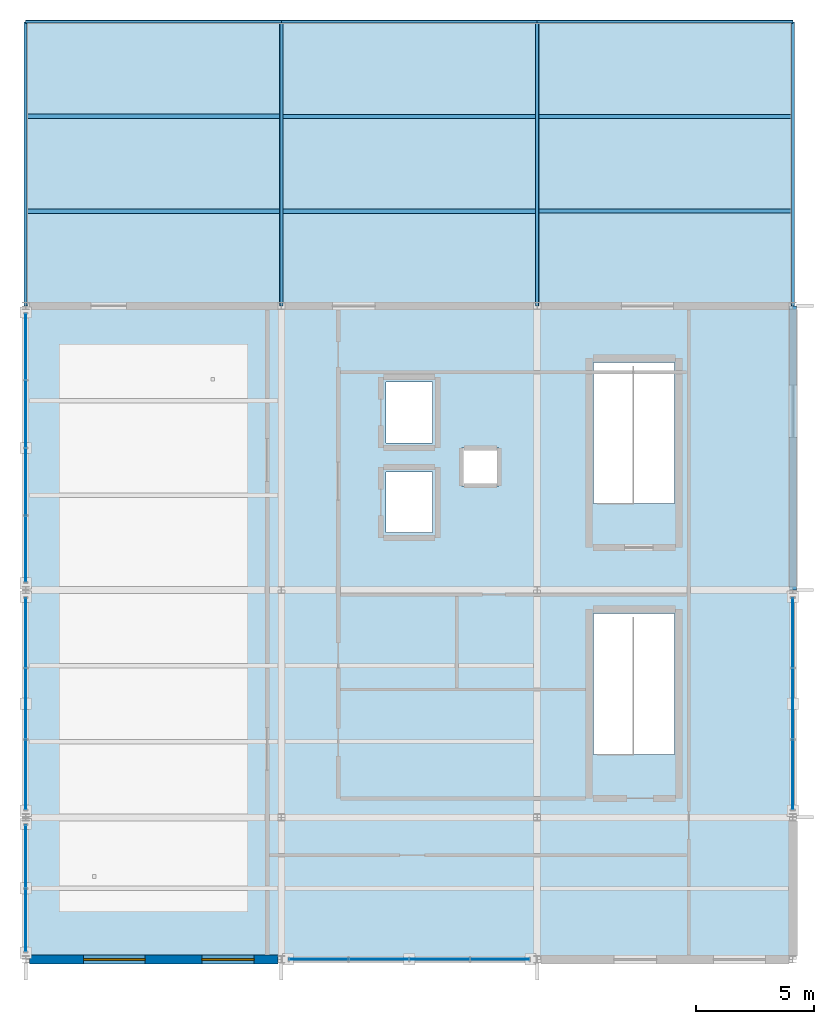
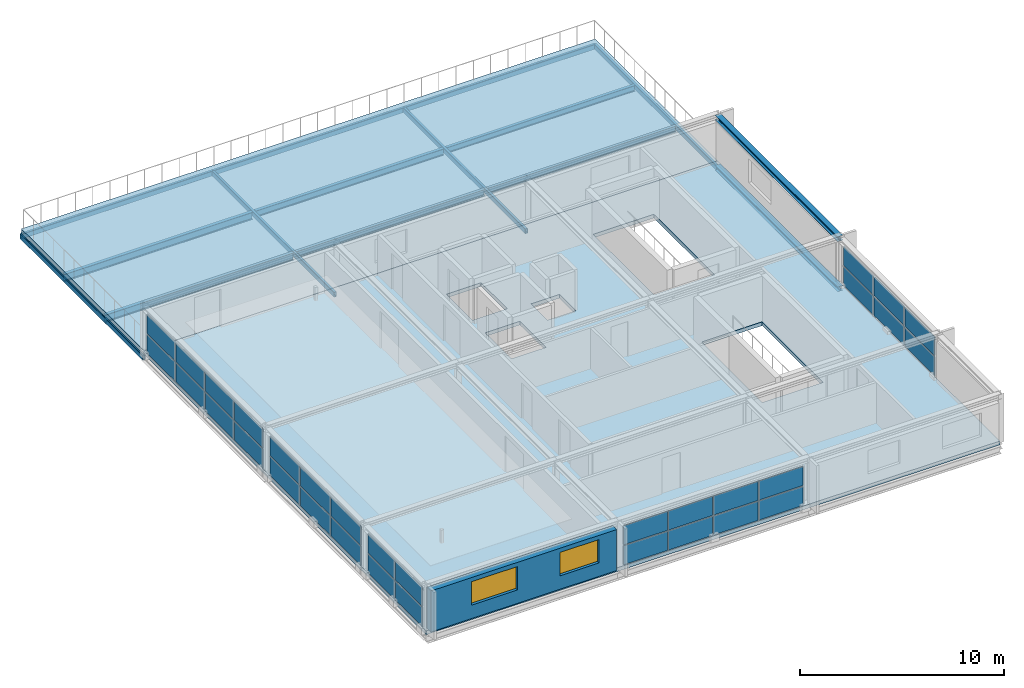
# One storey, part 11 of 14: 32 plates, 15 beams, 2 slabs, 2 windows, 1 wall, 2 openings, 5 elements without a shape of their own.
"""IFC4 building model written with IfcOpenShell, lengths in metres."""

from ifc_helpers import new_model, si_unit, direction, frame, frame_2d, origin, origin_2d, place, context, subcontext, project, spatial, polyline, rectangle, hollow_rectangle, i_section, outline, extrude, material, layer, layer_set, material_profile, profile_set, type_object, element, fill, aggregate, save


model = new_model("IFC4")

# Units and contexts
model_context = context("Model", 3, precision=1e-05, world=origin(), true_north=direction((0.0, 1.0)))
body_context = subcontext(model_context, "Body", "Model", "MODEL_VIEW")
ifc_project = project(units=[si_unit("LENGTHUNIT", "METRE"), si_unit("AREAUNIT", "SQUARE_METRE"), si_unit("VOLUMEUNIT", "CUBIC_METRE"), si_unit("PLANEANGLEUNIT", "RADIAN"), si_unit("MASSUNIT", "GRAM", prefix="KILO")], contexts=[model_context])

# Site, building, storey
site_placement = place(None, origin())
site = spatial("IfcSite", under=ifc_project, at=site_placement, CompositionType="ELEMENT")
building_placement = place(site_placement, origin())
building = spatial("IfcBuilding", under=site, at=building_placement, Name="Merenkruunu Market Hall", CompositionType="ELEMENT")
storey_placement = place(building_placement, frame((0.0, 0.0, 18.60009765625)))
storey = spatial("IfcBuildingStorey", under=building, at=storey_placement, Name="L04", CompositionType="ELEMENT", Elevation=18.60009765625)

# Beams
ifc_material_1 = material(Name="Steel S355J2", Category="steel")
ifc_material_profile_1 = material_profile(ifc_material_1, hollow_rectangle(XDim=0.14990234375, YDim=0.300048828125, WallThickness=0.012451171875, InnerFilletRadius=0.012451171875, OuterFilletRadius=0.02490234375, at=origin_2d()), Name="RHS 300x150x12.5")
ifc_profile_set_1 = profile_set([ifc_material_profile_1], Name="Steel S355J2")
beam_type_1 = type_object("IfcBeamType", Name="Perimeter Spandrel Beam SP03", PredefinedType="SPANDREL", material=ifc_profile_set_1)
beam_placement = place(storey_placement, frame((159.60009765625, 39.60009765625, -0.420166015625), z_axis=(1.0, 0.0, 0.0), x_axis=(0.0, 1.0, 0.0)))
element("IfcBeam", 1, at=beam_placement, inside=storey, type_object=beam_type_1, Name="BM-L04-SP03-0927", PredefinedType="SPANDREL", context=body_context, shape_type="SweptSolid", body=[
    extrude(hollow_rectangle(XDim=0.14990234375, YDim=0.300048828125, WallThickness=0.012451171875, InnerFilletRadius=0.012451171875, OuterFilletRadius=0.02490234375, at=origin_2d()), origin(), (0.0, 0.0, 1.0), 10.7998046875),
])
for number, where, z_axis, x_axis, name in (
    (2, (170.39990234375, 39.60009765625, -0.420166015625), (1.0, 0.0, 0.0), (0.0, 1.0, 0.0), "BM-L04-SP03-0928"),
    (3, (181.199951171875, 39.60009765625, -0.420166015625), (1.0, 0.0, 0.0), (0.0, 1.0, 0.0), "BM-L04-SP03-0929"),
):
    element("IfcBeam", number, at=place(storey_placement, frame(where, z_axis=z_axis, x_axis=x_axis)), inside=storey, type_object=beam_type_1, Name=name, PredefinedType="SPANDREL", context=body_context, shape_type="SweptSolid", body=[
        extrude(hollow_rectangle(XDim=0.14990234375, YDim=0.300048828125, WallThickness=0.012451171875, InnerFilletRadius=0.012451171875, OuterFilletRadius=0.02490234375, at=origin_2d()), origin(), (0.0, 0.0, 1.0), 10.800048828125),
    ])
for number, where, z_axis, x_axis, name in (
    (4, (159.60009765625, 27.60009765625, -0.420166015625), (0.0, 1.0, 0.0), (-1.0, 0.0, 0.0), "BM-L04-SP03-0933"),
    (5, (170.39990234375, 27.60009765625, -0.420166015625), (0.0, 1.0, 0.0), (-1.0, 0.0, 0.0), "BM-L04-SP03-0937"),
    (6, (181.199951171875, 27.60009765625, -0.420166015625), (0.0, 1.0, 0.0), (-1.0, 0.0, 0.0), "BM-L04-SP03-0941"),
    (7, (192.0, 27.60009765625, -0.420166015625), (0.0, 1.0, 0.0), (-1.0, 0.0, 0.0), "BM-L04-SP03-0945"),
):
    element("IfcBeam", number, at=place(storey_placement, frame(where, z_axis=z_axis, x_axis=x_axis)), inside=storey, type_object=beam_type_1, Name=name, PredefinedType="SPANDREL", context=body_context, shape_type="SweptSolid", body=[
        extrude(hollow_rectangle(XDim=0.14990234375, YDim=0.300048828125, WallThickness=0.012451171875, InnerFilletRadius=0.012451171875, OuterFilletRadius=0.02490234375, at=origin_2d()), origin(), (0.0, 0.0, 1.0), 12.0),
    ])
ifc_material_profile_2 = material_profile(ifc_material_1, i_section(OverallWidth=0.300048828125, OverallDepth=0.2900390625, WebThickness=0.008544921875, FlangeThickness=0.013916015625, FilletRadius=0.027099609375, at=origin_2d()), Name="HEA 300")
ifc_profile_set_2 = profile_set([ifc_material_profile_2], Name="Steel S355J2")
beam_type_2 = type_object("IfcBeamType", Name="Primary Floor Girder B09", PredefinedType="BEAM", material=ifc_profile_set_2)
for number, where, z_axis, x_axis, name in (
    (8, (192.0, 15.60009765625, -0.364990234375), (0.0, 1.0, 0.0), (-1.0, 0.0, 0.0), "BM-L04-B09-0944"),
    (9, (192.0, 15.60009765625, 2.635009765625), (0.0, 1.0, 0.0), (-1.0, 0.0, 0.0), "BM-L04-B09-1332"),
):
    element("IfcBeam", number, at=place(storey_placement, frame(where, z_axis=z_axis, x_axis=x_axis)), inside=storey, type_object=beam_type_2, Name=name, PredefinedType="BEAM", context=body_context, shape_type="SweptSolid", body=[
        extrude(i_section(OverallWidth=0.300048828125, OverallDepth=0.2900390625, WebThickness=0.008544921875, FlangeThickness=0.013916015625, FilletRadius=0.027099609375, at=origin_2d()), origin(), (0.0, 0.0, 1.0), 12.0),
    ])
ifc_material_profile_3 = material_profile(ifc_material_1, i_section(OverallWidth=0.18994140625, OverallDepth=0.449951171875, WebThickness=0.009521484375, FlangeThickness=0.0146484375, FilletRadius=0.02099609375, at=origin_2d()), Name="IPE 450")
ifc_profile_set_3 = profile_set([ifc_material_profile_3], Name="Steel S355J2")
beam_type_3 = type_object("IfcBeamType", Name="Secondary Floor Joist J01", PredefinedType="JOIST", material=ifc_profile_set_3)
for number, where, z_axis, x_axis, name in (
    (10, (159.677978515625, 31.60009765625, -0.4951171875), (1.0, 0.0, 0.0), (0.0, 1.0, 0.0), "BM-L04-J01-0951"),
    (11, (159.677978515625, 35.60009765625, -0.4951171875), (1.0, 0.0, 0.0), (0.0, 1.0, 0.0), "BM-L04-J01-0952"),
):
    element("IfcBeam", number, at=place(storey_placement, frame(where, z_axis=z_axis, x_axis=x_axis)), inside=storey, type_object=beam_type_3, Name=name, PredefinedType="JOIST", context=body_context, shape_type="SweptSolid", body=[
        extrude(i_section(OverallWidth=0.18994140625, OverallDepth=0.449951171875, WebThickness=0.009521484375, FlangeThickness=0.0146484375, FilletRadius=0.02099609375, at=origin_2d()), origin(), (0.0, 0.0, 1.0), 10.64404296875),
    ])
ifc_material_profile_4 = material_profile(ifc_material_1, i_section(OverallWidth=0.179931640625, OverallDepth=0.39990234375, WebThickness=0.008544921875, FlangeThickness=0.013427734375, FilletRadius=0.02099609375, at=origin_2d()), Name="IPE 400")
ifc_profile_set_4 = profile_set([ifc_material_profile_4], Name="Steel S355J2")
beam_type_4 = type_object("IfcBeamType", Name="Secondary Floor Joist J02", PredefinedType="JOIST", material=ifc_profile_set_4)
for number, where, z_axis, x_axis, name in (
    (12, (170.47802734375, 31.60009765625, -0.47021484375), (1.0, 0.0, 0.0), (0.0, 1.0, 0.0), "BM-L04-J02-0956"),
    (13, (170.47802734375, 35.60009765625, -0.47021484375), (1.0, 0.0, 0.0), (0.0, 1.0, 0.0), "BM-L04-J02-0957"),
):
    element("IfcBeam", number, at=place(storey_placement, frame(where, z_axis=z_axis, x_axis=x_axis)), inside=storey, type_object=beam_type_4, Name=name, PredefinedType="JOIST", context=body_context, shape_type="SweptSolid", body=[
        extrude(i_section(OverallWidth=0.179931640625, OverallDepth=0.39990234375, WebThickness=0.008544921875, FlangeThickness=0.013427734375, FilletRadius=0.02099609375, at=origin_2d()), origin(), (0.0, 0.0, 1.0), 10.64404296875),
    ])
ifc_material_profile_5 = material_profile(ifc_material_1, i_section(OverallWidth=0.169921875, OverallDepth=0.360107421875, WebThickness=0.008056640625, FlangeThickness=0.0126953125, FilletRadius=0.01806640625, at=origin_2d()), Name="IPE 360")
ifc_profile_set_5 = profile_set([ifc_material_profile_5], Name="Steel S355J2")
beam_type_5 = type_object("IfcBeamType", Name="Secondary Floor Joist J03", PredefinedType="JOIST", material=ifc_profile_set_5)
for number, where, z_axis, x_axis, name in (
    (14, (181.278076171875, 31.60009765625, -0.4501953125), (1.0, 0.0, 0.0), (0.0, 1.0, 0.0), "BM-L04-J03-0959"),
    (15, (181.278076171875, 35.60009765625, -0.4501953125), (1.0, 0.0, 0.0), (0.0, 1.0, 0.0), "BM-L04-J03-0960"),
):
    element("IfcBeam", number, at=place(storey_placement, frame(where, z_axis=z_axis, x_axis=x_axis)), inside=storey, type_object=beam_type_5, Name=name, PredefinedType="JOIST", context=body_context, shape_type="SweptSolid", body=[
        extrude(i_section(OverallWidth=0.169921875, OverallDepth=0.360107421875, WebThickness=0.008056640625, FlangeThickness=0.0126953125, FilletRadius=0.01806640625, at=origin_2d()), origin(), (0.0, 0.0, 1.0), 10.64404296875),
    ])

# Curtain wall, plates
ifc_material_2 = material(Name="Powder-coated aluminium", Category="aluminium")
curtain_wall_type_1 = type_object("IfcCurtainWallType", Name="Glazed Curtain Wall CW08", PredefinedType="USERDEFINED", material=ifc_material_2)
curtain_wall_1_placement = place(storey_placement, origin())
curtain_wall_1 = element("IfcCurtainWall", 16, at=curtain_wall_1_placement, inside=storey, type_object=curtain_wall_type_1, Name="CW-L04-CWM03-223", ObjectType="GLAZED_FACADE", PredefinedType="USERDEFINED")
ifc_material_3 = material(Name="Triple low-E insulated glass", Category="glass")
ifc_layer_1 = layer(ifc_material_3, 0.035888671875)
ifc_layer_set_1 = layer_set([ifc_layer_1], Name="Triple low-E insulated glass")
plate_type_1 = type_object("IfcPlateType", Name="Curtain Wall Glazing Panel CWP05", PredefinedType="CURTAIN_PANEL", material=ifc_layer_set_1)
plate_1_placement = place(storey_placement, frame((179.625, 0.0, 0.06005859375), z_axis=(0.0, 0.0, 1.0), x_axis=(-1.0, 0.0, 0.0)))
plate_1 = element("IfcPlate", 17, at=plate_1_placement, type_object=plate_type_1, Name="CW08 panel 1.1", PredefinedType="CURTAIN_PANEL", context=body_context, shape_type="SweptSolid", body=[
    extrude(rectangle(XDim=2.469970703125, YDim=0.035888671875, at=origin_2d()), origin(), (0.0, 0.0, 1.0), 1.135009765625),
])
plate_2_placement = place(storey_placement, frame((179.625, 0.0, 1.2548828125), z_axis=(0.0, 0.0, 1.0), x_axis=(-1.0, 0.0, 0.0)))
plate_2 = element("IfcPlate", 18, at=plate_2_placement, type_object=plate_type_1, Name="CW08 panel 1.2", PredefinedType="CURTAIN_PANEL", context=body_context, shape_type="SweptSolid", body=[
    extrude(rectangle(XDim=2.469970703125, YDim=0.035888671875, at=origin_2d()), origin(), (0.0, 0.0, 1.0), 1.135009765625),
])
plate_3_placement = place(storey_placement, frame((177.080078125, 0.0, 0.06005859375), z_axis=(0.0, 0.0, 1.0), x_axis=(-1.0, 0.0, 0.0)))
plate_3 = element("IfcPlate", 19, at=plate_3_placement, type_object=plate_type_1, Name="CW08 panel 2.1", PredefinedType="CURTAIN_PANEL", context=body_context, shape_type="SweptSolid", body=[
    extrude(rectangle(XDim=2.5, YDim=0.035888671875, at=origin_2d()), origin(), (0.0, 0.0, 1.0), 1.135009765625),
])
plate_4_placement = place(storey_placement, frame((177.080078125, 0.0, 1.2548828125), z_axis=(0.0, 0.0, 1.0), x_axis=(-1.0, 0.0, 0.0)))
plate_4 = element("IfcPlate", 20, at=plate_4_placement, type_object=plate_type_1, Name="CW08 panel 2.2", PredefinedType="CURTAIN_PANEL", context=body_context, shape_type="SweptSolid", body=[
    extrude(rectangle(XDim=2.5, YDim=0.035888671875, at=origin_2d()), origin(), (0.0, 0.0, 1.0), 1.135009765625),
])
plate_5_placement = place(storey_placement, frame((174.52001953125, 0.0, 0.06005859375), z_axis=(0.0, 0.0, 1.0), x_axis=(-1.0, 0.0, 0.0)))
plate_5 = element("IfcPlate", 21, at=plate_5_placement, type_object=plate_type_1, Name="CW08 panel 3.1", PredefinedType="CURTAIN_PANEL", context=body_context, shape_type="SweptSolid", body=[
    extrude(rectangle(XDim=2.5, YDim=0.035888671875, at=origin_2d()), origin(), (0.0, 0.0, 1.0), 1.135009765625),
])
plate_6_placement = place(storey_placement, frame((174.52001953125, 0.0, 1.2548828125), z_axis=(0.0, 0.0, 1.0), x_axis=(-1.0, 0.0, 0.0)))
plate_6 = element("IfcPlate", 22, at=plate_6_placement, type_object=plate_type_1, Name="CW08 panel 3.2", PredefinedType="CURTAIN_PANEL", context=body_context, shape_type="SweptSolid", body=[
    extrude(rectangle(XDim=2.5, YDim=0.035888671875, at=origin_2d()), origin(), (0.0, 0.0, 1.0), 1.135009765625),
])
plate_7_placement = place(storey_placement, frame((171.97509765625, 0.0, 0.06005859375), z_axis=(0.0, 0.0, 1.0), x_axis=(-1.0, 0.0, 0.0)))
plate_7 = element("IfcPlate", 23, at=plate_7_placement, type_object=plate_type_1, Name="CW08 panel 4.1", PredefinedType="CURTAIN_PANEL", context=body_context, shape_type="SweptSolid", body=[
    extrude(rectangle(XDim=2.469970703125, YDim=0.035888671875, at=origin_2d()), origin(), (0.0, 0.0, 1.0), 1.135009765625),
])
plate_8_placement = place(storey_placement, frame((171.97509765625, 0.0, 1.2548828125), z_axis=(0.0, 0.0, 1.0), x_axis=(-1.0, 0.0, 0.0)))
plate_8 = element("IfcPlate", 24, at=plate_8_placement, type_object=plate_type_1, Name="CW08 panel 4.2", PredefinedType="CURTAIN_PANEL", context=body_context, shape_type="SweptSolid", body=[
    extrude(rectangle(XDim=2.469970703125, YDim=0.035888671875, at=origin_2d()), origin(), (0.0, 0.0, 1.0), 1.135009765625),
])
aggregate(curtain_wall_1, [plate_1, plate_2, plate_3, plate_4, plate_5, plate_6, plate_7, plate_8])

curtain_wall_type_2 = type_object("IfcCurtainWallType", Name="Glazed Curtain Wall CW07", PredefinedType="USERDEFINED", material=ifc_material_2)
curtain_wall_2_placement = place(storey_placement, origin())
curtain_wall_2 = element("IfcCurtainWall", 25, at=curtain_wall_2_placement, inside=storey, type_object=curtain_wall_type_2, Name="CW-L04-CWM03-224", ObjectType="GLAZED_FACADE", PredefinedType="USERDEFINED")
ifc_material_4 = material(Name="Powder-coated aluminium spandrel panel", Category="aluminium")
ifc_layer_2 = layer(ifc_material_4, 0.0419921875)
ifc_layer_set_2 = layer_set([ifc_layer_2], Name="Powder-coated aluminium spandrel panel")
plate_type_2 = type_object("IfcPlateType", Name="Curtain Wall Glazing Panel CWP06", PredefinedType="CURTAIN_PANEL", material=ifc_layer_set_2)
plate_9_placement = place(storey_placement, frame((192.0, 13.79833984375, 0.06005859375), z_axis=(0.0, 0.0, 1.0), x_axis=(0.0, -1.0, 0.0)))
plate_9 = element("IfcPlate", 26, at=plate_9_placement, type_object=plate_type_2, Name="CW07 panel 1.1", PredefinedType="CURTAIN_PANEL", context=body_context, shape_type="SweptSolid", body=[
    extrude(rectangle(XDim=2.92333984375, YDim=0.0419921875, at=origin_2d()), origin(), (0.0, 0.0, 1.0), 1.135009765625),
])
plate_10_placement = place(storey_placement, frame((192.0, 13.79833984375, 1.2548828125), z_axis=(0.0, 0.0, 1.0), x_axis=(0.0, -1.0, 0.0)))
plate_10 = element("IfcPlate", 27, at=plate_10_placement, type_object=plate_type_2, Name="CW07 panel 1.2", PredefinedType="CURTAIN_PANEL", context=body_context, shape_type="SweptSolid", body=[
    extrude(rectangle(XDim=2.92333984375, YDim=0.0419921875, at=origin_2d()), origin(), (0.0, 0.0, 1.0), 1.135009765625),
])
plate_11_placement = place(storey_placement, frame((192.0, 10.800048828125, 0.06005859375), z_axis=(0.0, 0.0, 1.0), x_axis=(0.0, -1.0, 0.0)))
plate_11 = element("IfcPlate", 28, at=plate_11_placement, type_object=plate_type_2, Name="CW07 panel 2.1", PredefinedType="CURTAIN_PANEL", context=body_context, shape_type="SweptSolid", body=[
    extrude(rectangle(XDim=2.953369140625, YDim=0.0419921875, at=origin_2d()), origin(), (0.0, 0.0, 1.0), 1.135009765625),
])
plate_12_placement = place(storey_placement, frame((192.0, 10.800048828125, 1.2548828125), z_axis=(0.0, 0.0, 1.0), x_axis=(0.0, -1.0, 0.0)))
plate_12 = element("IfcPlate", 29, at=plate_12_placement, type_object=plate_type_2, Name="CW07 panel 2.2", PredefinedType="CURTAIN_PANEL", context=body_context, shape_type="SweptSolid", body=[
    extrude(rectangle(XDim=2.953369140625, YDim=0.0419921875, at=origin_2d()), origin(), (0.0, 0.0, 1.0), 1.135009765625),
])
plate_13_placement = place(storey_placement, frame((192.0, 7.8017578125, 0.06005859375), z_axis=(0.0, 0.0, 1.0), x_axis=(0.0, -1.0, 0.0)))
plate_13 = element("IfcPlate", 30, at=plate_13_placement, type_object=plate_type_2, Name="CW07 panel 3.1", PredefinedType="CURTAIN_PANEL", context=body_context, shape_type="SweptSolid", body=[
    extrude(rectangle(XDim=2.92333984375, YDim=0.0419921875, at=origin_2d()), origin(), (0.0, 0.0, 1.0), 1.135009765625),
])
plate_14_placement = place(storey_placement, frame((192.0, 7.8017578125, 1.2548828125), z_axis=(0.0, 0.0, 1.0), x_axis=(0.0, -1.0, 0.0)))
plate_14 = element("IfcPlate", 31, at=plate_14_placement, type_object=plate_type_2, Name="CW07 panel 3.2", PredefinedType="CURTAIN_PANEL", context=body_context, shape_type="SweptSolid", body=[
    extrude(rectangle(XDim=2.92333984375, YDim=0.0419921875, at=origin_2d()), origin(), (0.0, 0.0, 1.0), 1.135009765625),
])
aggregate(curtain_wall_2, [plate_9, plate_10, plate_11, plate_12, plate_13, plate_14])

curtain_wall_3_placement = place(storey_placement, origin())
curtain_wall_3 = element("IfcCurtainWall", 32, at=curtain_wall_3_placement, inside=storey, type_object=curtain_wall_type_1, Name="CW-L04-CWM02-225", ObjectType="GLAZED_FACADE", PredefinedType="USERDEFINED")
ifc_layer_3 = layer(ifc_material_3, 0.0380859375)
ifc_layer_set_3 = layer_set([ifc_layer_3], Name="Triple low-E insulated glass")
plate_type_3 = type_object("IfcPlateType", Name="Curtain Wall Glazing Panel CWP10", PredefinedType="CURTAIN_PANEL", material=ifc_layer_set_3)
plate_15_placement = place(storey_placement, frame((159.60009765625, 1.655029296875, 0.06005859375), z_axis=(0.0, 0.0, 1.0), x_axis=(0.0, 1.0, 0.0)))
plate_15 = element("IfcPlate", 33, at=plate_15_placement, type_object=plate_type_3, Name="CW08 panel 1.1", PredefinedType="CURTAIN_PANEL", context=body_context, shape_type="SweptSolid", body=[
    extrude(rectangle(XDim=2.6298828125, YDim=0.0380859375, at=origin_2d()), origin(), (0.0, 0.0, 1.0), 1.135009765625),
])
plate_16_placement = place(storey_placement, frame((159.60009765625, 1.655029296875, 1.2548828125), z_axis=(0.0, 0.0, 1.0), x_axis=(0.0, 1.0, 0.0)))
plate_16 = element("IfcPlate", 34, at=plate_16_placement, type_object=plate_type_3, Name="CW08 panel 1.2", PredefinedType="CURTAIN_PANEL", context=body_context, shape_type="SweptSolid", body=[
    extrude(rectangle(XDim=2.6298828125, YDim=0.0380859375, at=origin_2d()), origin(), (0.0, 0.0, 1.0), 1.135009765625),
])
plate_17_placement = place(storey_placement, frame((159.60009765625, 4.344970703125, 0.06005859375), z_axis=(0.0, 0.0, 1.0), x_axis=(0.0, 1.0, 0.0)))
plate_17 = element("IfcPlate", 35, at=plate_17_placement, type_object=plate_type_3, Name="CW08 panel 2.1", PredefinedType="CURTAIN_PANEL", context=body_context, shape_type="SweptSolid", body=[
    extrude(rectangle(XDim=2.6298828125, YDim=0.0380859375, at=origin_2d()), origin(), (0.0, 0.0, 1.0), 1.135009765625),
])
plate_18_placement = place(storey_placement, frame((159.60009765625, 4.344970703125, 1.2548828125), z_axis=(0.0, 0.0, 1.0), x_axis=(0.0, 1.0, 0.0)))
plate_18 = element("IfcPlate", 36, at=plate_18_placement, type_object=plate_type_3, Name="CW08 panel 2.2", PredefinedType="CURTAIN_PANEL", context=body_context, shape_type="SweptSolid", body=[
    extrude(rectangle(XDim=2.6298828125, YDim=0.0380859375, at=origin_2d()), origin(), (0.0, 0.0, 1.0), 1.135009765625),
])
aggregate(curtain_wall_3, [plate_15, plate_16, plate_17, plate_18])

curtain_wall_4_placement = place(storey_placement, origin())
curtain_wall_4 = element("IfcCurtainWall", 37, at=curtain_wall_4_placement, inside=storey, type_object=curtain_wall_type_1, Name="CW-L04-CWM02-226", ObjectType="GLAZED_FACADE", PredefinedType="USERDEFINED")
plate_19_placement = place(storey_placement, frame((159.60009765625, 7.8017578125, 0.06005859375), z_axis=(0.0, 0.0, 1.0), x_axis=(0.0, 1.0, 0.0)))
plate_19 = element("IfcPlate", 38, at=plate_19_placement, type_object=plate_type_3, Name="CW08 panel 1.1", PredefinedType="CURTAIN_PANEL", context=body_context, shape_type="SweptSolid", body=[
    extrude(rectangle(XDim=2.92333984375, YDim=0.0380859375, at=origin_2d()), origin(), (0.0, 0.0, 1.0), 1.135009765625),
])
plate_20_placement = place(storey_placement, frame((159.60009765625, 7.8017578125, 1.2548828125), z_axis=(0.0, 0.0, 1.0), x_axis=(0.0, 1.0, 0.0)))
plate_20 = element("IfcPlate", 39, at=plate_20_placement, type_object=plate_type_3, Name="CW08 panel 1.2", PredefinedType="CURTAIN_PANEL", context=body_context, shape_type="SweptSolid", body=[
    extrude(rectangle(XDim=2.92333984375, YDim=0.0380859375, at=origin_2d()), origin(), (0.0, 0.0, 1.0), 1.135009765625),
])
plate_21_placement = place(storey_placement, frame((159.60009765625, 10.800048828125, 0.06005859375), z_axis=(0.0, 0.0, 1.0), x_axis=(0.0, 1.0, 0.0)))
plate_21 = element("IfcPlate", 40, at=plate_21_placement, type_object=plate_type_3, Name="CW08 panel 2.1", PredefinedType="CURTAIN_PANEL", context=body_context, shape_type="SweptSolid", body=[
    extrude(rectangle(XDim=2.953369140625, YDim=0.0380859375, at=origin_2d()), origin(), (0.0, 0.0, 1.0), 1.135009765625),
])
plate_22_placement = place(storey_placement, frame((159.60009765625, 10.800048828125, 1.2548828125), z_axis=(0.0, 0.0, 1.0), x_axis=(0.0, 1.0, 0.0)))
plate_22 = element("IfcPlate", 41, at=plate_22_placement, type_object=plate_type_3, Name="CW08 panel 2.2", PredefinedType="CURTAIN_PANEL", context=body_context, shape_type="SweptSolid", body=[
    extrude(rectangle(XDim=2.953369140625, YDim=0.0380859375, at=origin_2d()), origin(), (0.0, 0.0, 1.0), 1.135009765625),
])
plate_23_placement = place(storey_placement, frame((159.60009765625, 13.79833984375, 0.06005859375), z_axis=(0.0, 0.0, 1.0), x_axis=(0.0, 1.0, 0.0)))
plate_23 = element("IfcPlate", 42, at=plate_23_placement, type_object=plate_type_3, Name="CW08 panel 3.1", PredefinedType="CURTAIN_PANEL", context=body_context, shape_type="SweptSolid", body=[
    extrude(rectangle(XDim=2.92333984375, YDim=0.0380859375, at=origin_2d()), origin(), (0.0, 0.0, 1.0), 1.135009765625),
])
plate_24_placement = place(storey_placement, frame((159.60009765625, 13.79833984375, 1.2548828125), z_axis=(0.0, 0.0, 1.0), x_axis=(0.0, 1.0, 0.0)))
plate_24 = element("IfcPlate", 43, at=plate_24_placement, type_object=plate_type_3, Name="CW08 panel 3.2", PredefinedType="CURTAIN_PANEL", context=body_context, shape_type="SweptSolid", body=[
    extrude(rectangle(XDim=2.92333984375, YDim=0.0380859375, at=origin_2d()), origin(), (0.0, 0.0, 1.0), 1.135009765625),
])
aggregate(curtain_wall_4, [plate_19, plate_20, plate_21, plate_22, plate_23, plate_24])

curtain_wall_5_placement = place(storey_placement, origin())
curtain_wall_5 = element("IfcCurtainWall", 44, at=curtain_wall_5_placement, inside=storey, type_object=curtain_wall_type_1, Name="CW-L04-CWM02-227", ObjectType="GLAZED_FACADE", PredefinedType="USERDEFINED")
plate_25_placement = place(storey_placement, frame((159.60009765625, 17.324951171875, 0.06005859375), z_axis=(0.0, 0.0, 1.0), x_axis=(0.0, 1.0, 0.0)))
plate_25 = element("IfcPlate", 45, at=plate_25_placement, type_object=plate_type_3, Name="CW08 panel 1.1", PredefinedType="CURTAIN_PANEL", context=body_context, shape_type="SweptSolid", body=[
    extrude(rectangle(XDim=2.77001953125, YDim=0.0380859375, at=origin_2d()), origin(), (0.0, 0.0, 1.0), 1.135009765625),
])
plate_26_placement = place(storey_placement, frame((159.60009765625, 17.324951171875, 1.2548828125), z_axis=(0.0, 0.0, 1.0), x_axis=(0.0, 1.0, 0.0)))
plate_26 = element("IfcPlate", 46, at=plate_26_placement, type_object=plate_type_3, Name="CW08 panel 1.2", PredefinedType="CURTAIN_PANEL", context=body_context, shape_type="SweptSolid", body=[
    extrude(rectangle(XDim=2.77001953125, YDim=0.0380859375, at=origin_2d()), origin(), (0.0, 0.0, 1.0), 1.135009765625),
])
plate_27_placement = place(storey_placement, frame((159.60009765625, 20.169921875, 0.06005859375), z_axis=(0.0, 0.0, 1.0), x_axis=(0.0, 1.0, 0.0)))
plate_27 = element("IfcPlate", 47, at=plate_27_placement, type_object=plate_type_3, Name="CW08 panel 2.1", PredefinedType="CURTAIN_PANEL", context=body_context, shape_type="SweptSolid", body=[
    extrude(rectangle(XDim=2.800048828125, YDim=0.0380859375, at=origin_2d()), origin(), (0.0, 0.0, 1.0), 1.135009765625),
])
plate_28_placement = place(storey_placement, frame((159.60009765625, 20.169921875, 1.2548828125), z_axis=(0.0, 0.0, 1.0), x_axis=(0.0, 1.0, 0.0)))
plate_28 = element("IfcPlate", 48, at=plate_28_placement, type_object=plate_type_3, Name="CW08 panel 2.2", PredefinedType="CURTAIN_PANEL", context=body_context, shape_type="SweptSolid", body=[
    extrude(rectangle(XDim=2.800048828125, YDim=0.0380859375, at=origin_2d()), origin(), (0.0, 0.0, 1.0), 1.135009765625),
])
plate_29_placement = place(storey_placement, frame((159.60009765625, 23.030029296875, 0.06005859375), z_axis=(0.0, 0.0, 1.0), x_axis=(0.0, 1.0, 0.0)))
plate_29 = element("IfcPlate", 49, at=plate_29_placement, type_object=plate_type_3, Name="CW08 panel 3.1", PredefinedType="CURTAIN_PANEL", context=body_context, shape_type="SweptSolid", body=[
    extrude(rectangle(XDim=2.800048828125, YDim=0.0380859375, at=origin_2d()), origin(), (0.0, 0.0, 1.0), 1.135009765625),
])
plate_30_placement = place(storey_placement, frame((159.60009765625, 23.030029296875, 1.2548828125), z_axis=(0.0, 0.0, 1.0), x_axis=(0.0, 1.0, 0.0)))
plate_30 = element("IfcPlate", 50, at=plate_30_placement, type_object=plate_type_3, Name="CW08 panel 3.2", PredefinedType="CURTAIN_PANEL", context=body_context, shape_type="SweptSolid", body=[
    extrude(rectangle(XDim=2.800048828125, YDim=0.0380859375, at=origin_2d()), origin(), (0.0, 0.0, 1.0), 1.135009765625),
])
plate_31_placement = place(storey_placement, frame((159.60009765625, 25.875, 0.06005859375), z_axis=(0.0, 0.0, 1.0), x_axis=(0.0, 1.0, 0.0)))
plate_31 = element("IfcPlate", 51, at=plate_31_placement, type_object=plate_type_3, Name="CW08 panel 4.1", PredefinedType="CURTAIN_PANEL", context=body_context, shape_type="SweptSolid", body=[
    extrude(rectangle(XDim=2.77001953125, YDim=0.0380859375, at=origin_2d()), origin(), (0.0, 0.0, 1.0), 1.135009765625),
])
plate_32_placement = place(storey_placement, frame((159.60009765625, 25.875, 1.2548828125), z_axis=(0.0, 0.0, 1.0), x_axis=(0.0, 1.0, 0.0)))
plate_32 = element("IfcPlate", 52, at=plate_32_placement, type_object=plate_type_3, Name="CW08 panel 4.2", PredefinedType="CURTAIN_PANEL", context=body_context, shape_type="SweptSolid", body=[
    extrude(rectangle(XDim=2.77001953125, YDim=0.0380859375, at=origin_2d()), origin(), (0.0, 0.0, 1.0), 1.135009765625),
])
aggregate(curtain_wall_5, [plate_25, plate_26, plate_27, plate_28, plate_29, plate_30, plate_31, plate_32])

# Slabs
ifc_material_5 = material(Name="Precast concrete C40/50", Category="concrete")
ifc_layer_4 = layer(ifc_material_5, 0.27001953125)
ifc_layer_set_4 = layer_set([ifc_layer_4], Name="Precast concrete C40/50")
slab_type_1 = type_object("IfcSlabType", Name="Suspended Floor Slab FS05", PredefinedType="FLOOR", material=ifc_layer_set_4)
slab_1_placement = place(storey_placement, frame((0.0, 0.0, -0.27001953125)))
element("IfcSlab", 53, at=slab_1_placement, inside=storey, type_object=slab_type_1, Name="SL-L04-TERN", PredefinedType="FLOOR", context=body_context, shape_type="SweptSolid", body=[
    extrude(outline(polyline([(159.60009765625, 27.60009765625), (192.0, 27.60009765625), (192.0, 39.60009765625), (159.60009765625, 39.60009765625), (159.60009765625, 27.60009765625)])), origin(), (0.0, 0.0, 1.0), 0.27001953125),
])
ifc_material_6 = material(Name="Concrete C35/45", Category="concrete")
ifc_layer_5 = layer(ifc_material_6, 0.219970703125)
ifc_layer_set_5 = layer_set([ifc_layer_5], Name="Concrete C35/45")
slab_type_2 = type_object("IfcSlabType", Name="Suspended Floor Slab FS06", PredefinedType="FLOOR", material=ifc_layer_set_5)
slab_2_placement = place(storey_placement, frame((0.0, 0.0, -0.22021484375)))
element("IfcSlab", 54, at=slab_2_placement, inside=storey, type_object=slab_type_2, Name="SL-L04-V3A", PredefinedType="FLOOR", context=body_context, shape_type="SweptSolid", body=[
    extrude(outline(polyline([(159.60009765625, 0.0), (192.0, 0.0), (192.0, 27.60009765625), (159.60009765625, 27.60009765625), (159.60009765625, 0.0)]), holes=[polyline([(183.590087890625, 8.659912109375), (187.010009765625, 8.659912109375), (187.010009765625, 14.610107421875), (183.590087890625, 14.610107421875), (183.590087890625, 8.659912109375)]), polyline([(183.590087890625, 19.260009765625), (187.010009765625, 19.260009765625), (187.010009765625, 25.2099609375), (183.590087890625, 25.2099609375), (183.590087890625, 19.260009765625)]), polyline([(174.820068359375, 18.02001953125), (176.780029296875, 18.02001953125), (176.780029296875, 20.580078125), (174.820068359375, 20.580078125), (174.820068359375, 18.02001953125)]), polyline([(174.820068359375, 21.820068359375), (176.780029296875, 21.820068359375), (176.780029296875, 24.3798828125), (174.820068359375, 24.3798828125), (174.820068359375, 21.820068359375)]), polyline([(178.0, 20.0), (179.60009765625, 20.0), (179.60009765625, 21.60009765625), (178.0, 21.60009765625), (178.0, 20.0)])]), origin(), (0.0, 0.0, 1.0), 0.22021484375),
])

# Wall, openings, windows
ifc_layer_6 = layer(ifc_material_5, 0.3798828125)
ifc_layer_set_6 = layer_set([ifc_layer_6], Name="Precast concrete C40/50")
wall_type = type_object("IfcWallType", Name="Exterior Envelope Wall EW02", PredefinedType="STANDARD", material=ifc_layer_set_6)
wall_placement = place(storey_placement, frame((170.24609375, 0.0, 0.0), z_axis=(0.0, 0.0, 1.0), x_axis=(-1.0, 0.0, 0.0)))
wall = element("IfcWall", 55, at=wall_placement, inside=storey, type_object=wall_type, Name="WALL-EXT-L04-0106", PredefinedType="STANDARD", context=body_context, shape_type="SweptSolid", body=[
    extrude(rectangle(XDim=10.4921875, YDim=0.3798828125, at=frame_2d((5.24609375, 0.0))), origin(), (0.0, 0.0, 1.0), 2.449951171875),
])
opening_1_placement = place(wall_placement, frame((1.0, 0.0, 0.800048828125)))
opening_1 = element("IfcOpeningElement", 56, at=opening_1_placement, cuts=wall, Name="Opening WN15", PredefinedType="OPENING", context=body_context, shape_type="SweptSolid", body=[
    extrude(rectangle(XDim=2.199951171875, YDim=1.39990234375, at=frame_2d((1.10009765625, 0.699951171875))), frame((0.0, 0.199951171875, 0.0), z_axis=(0.0, -1.0, 0.0), x_axis=(1.0, 0.0, 0.0)), (0.0, 0.0, 1.0), 0.39990234375),
])
opening_2_placement = place(wall_placement, frame((5.60009765625, 0.0, 0.800048828125)))
opening_2 = element("IfcOpeningElement", 57, at=opening_2_placement, cuts=wall, Name="Opening WN16", PredefinedType="OPENING", context=body_context, shape_type="SweptSolid", body=[
    extrude(rectangle(XDim=2.60009765625, YDim=1.39990234375, at=frame_2d((1.300048828125, 0.699951171875))), frame((0.0, 0.199951171875, 0.0), z_axis=(0.0, -1.0, 0.0), x_axis=(1.0, 0.0, 0.0)), (0.0, 0.0, 1.0), 0.39990234375),
])
ifc_layer_7 = layer(ifc_material_3, 0.06005859375)
ifc_layer_set_7 = layer_set([ifc_layer_7], Name="Triple low-E insulated glass")
window_type_1 = type_object("IfcWindowType", Name="Exterior Window WN15", PartitioningType="SINGLE_PANEL", PredefinedType="WINDOW", material=ifc_layer_set_7)
window_1_placement = place(opening_1_placement, origin())
window_1 = element("IfcWindow", 58, at=window_1_placement, inside=storey, type_object=window_type_1, Name="WIN-L04-0060", OverallHeight=1.39990234375, OverallWidth=2.199951171875, PartitioningType="SINGLE_PANEL", PredefinedType="WINDOW", context=body_context, shape_type="SweptSolid", body=[
    extrude(rectangle(XDim=2.199951171875, YDim=1.39990234375, at=frame_2d((1.10009765625, 0.699951171875))), frame((0.0, 0.030029296875, 0.0), z_axis=(0.0, -1.0, 0.0), x_axis=(1.0, 0.0, 0.0)), (0.0, 0.0, 1.0), 0.06005859375),
])
fill(opening_1, window_1)
ifc_layer_8 = layer(ifc_material_3, 0.06005859375)
ifc_layer_set_8 = layer_set([ifc_layer_8], Name="Triple low-E insulated glass")
window_type_2 = type_object("IfcWindowType", Name="Exterior Window WN16", PartitioningType="SINGLE_PANEL", PredefinedType="WINDOW", material=ifc_layer_set_8)
window_2_placement = place(opening_2_placement, origin())
window_2 = element("IfcWindow", 59, at=window_2_placement, inside=storey, type_object=window_type_2, Name="WIN-L04-0061", OverallHeight=1.39990234375, OverallWidth=2.60009765625, PartitioningType="SINGLE_PANEL", PredefinedType="WINDOW", context=body_context, shape_type="SweptSolid", body=[
    extrude(rectangle(XDim=2.60009765625, YDim=1.39990234375, at=frame_2d((1.300048828125, 0.699951171875))), frame((0.0, 0.030029296875, 0.0), z_axis=(0.0, -1.0, 0.0), x_axis=(1.0, 0.0, 0.0)), (0.0, 0.0, 1.0), 0.06005859375),
])
fill(opening_2, window_2)

save(model, "model.ifc")
